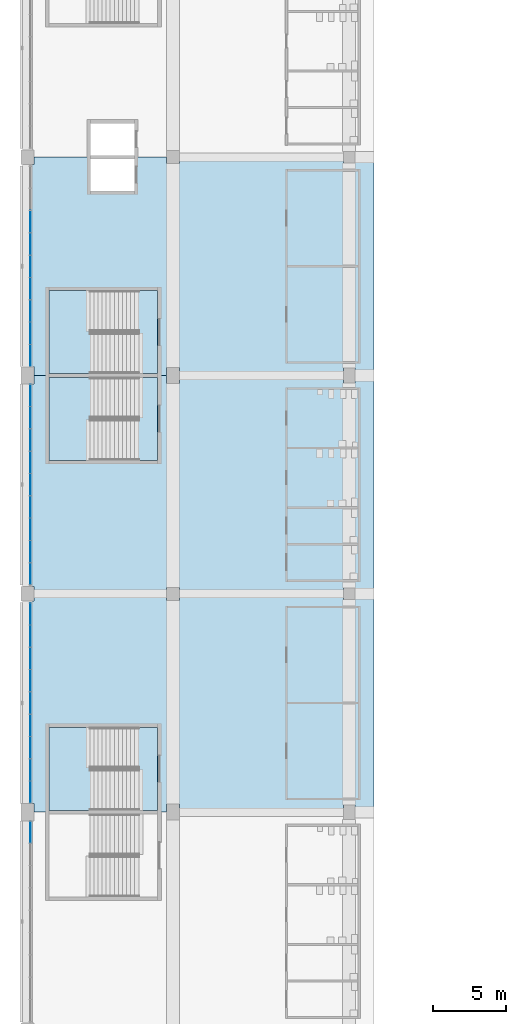
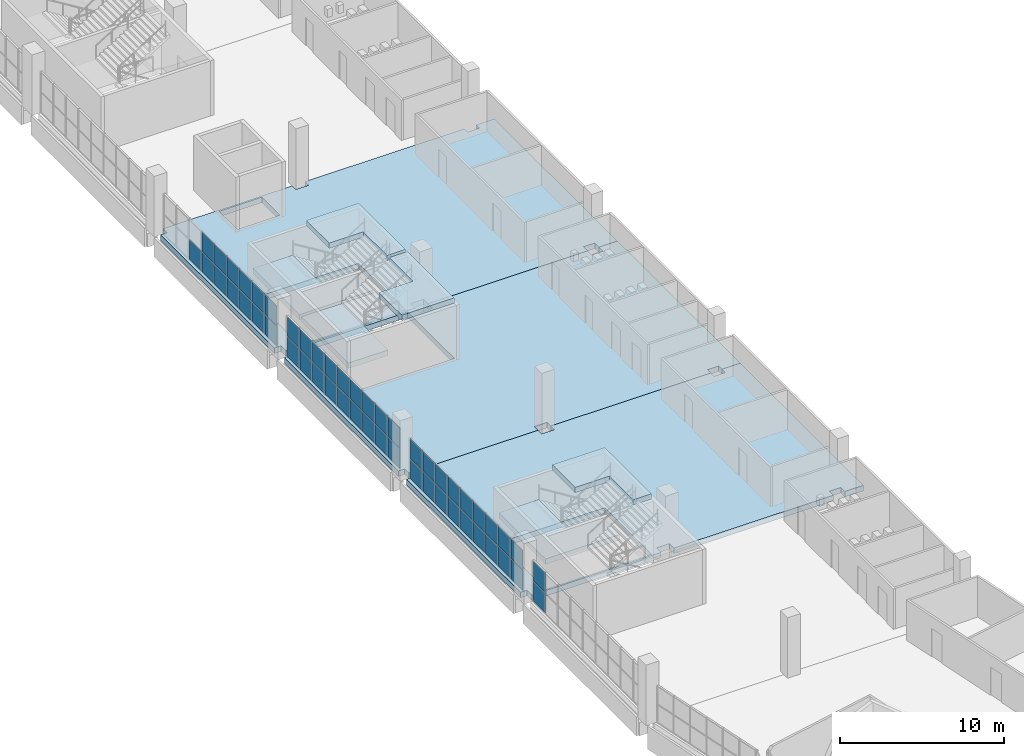
# One storey, part 61 of 199: 51 plates, 9 slabs, 7 elements without a shape of their own.
"""IFC4 building model written with IfcOpenShell, lengths in metres."""

from ifc_helpers import new_model, si_unit, direction, frame, origin, origin_2d, place, context, subcontext, project, spatial, polyline, rectangle, outline, extrude, material, layer, layer_set, type_object, element, aggregate, save


model = new_model("IFC4")

# Units and contexts
model_context = context("Model", 3, precision=1e-05, world=origin(), true_north=direction((0.0, 1.0)))
body_context = subcontext(model_context, "Body", "Model", "MODEL_VIEW")
ifc_project = project(units=[si_unit("LENGTHUNIT", "METRE"), si_unit("AREAUNIT", "SQUARE_METRE"), si_unit("VOLUMEUNIT", "CUBIC_METRE"), si_unit("PLANEANGLEUNIT", "RADIAN"), si_unit("MASSUNIT", "GRAM", prefix="KILO")], contexts=[model_context])

# Site, building, storey
site_placement = place(None, origin())
site = spatial("IfcSite", under=ifc_project, at=site_placement, CompositionType="ELEMENT")
building_placement = place(site_placement, origin())
building = spatial("IfcBuilding", under=site, at=building_placement, Name="Ogive Plaza Stadium", CompositionType="ELEMENT")
storey_placement = place(building_placement, frame((0.0, 0.0, 4.5)))
storey = spatial("IfcBuildingStorey", under=building, at=storey_placement, Name="L01", CompositionType="ELEMENT", Elevation=4.5)

# Curtain wall, plates
ifc_material_1 = material(Name="Bronze-anodised aluminium with laminated glass", Category="aluminium")
curtain_wall_type = type_object("IfcCurtainWallType", Name="Lancet curtain wall", PredefinedType="NOTDEFINED", material=ifc_material_1)
curtain_wall_1_placement = place(storey_placement, origin())
curtain_wall_1 = element("IfcCurtainWall", 1, at=curtain_wall_1_placement, inside=storey, type_object=curtain_wall_type, Name="CURTAIN WALL B21 L01", PredefinedType="NOTDEFINED")
ifc_material_2 = material(Name="Laminated glass", Category="glass")
ifc_layer_1 = layer(ifc_material_2, 0.028076171875)
ifc_layer_set_1 = layer_set([ifc_layer_1], Name="Laminated glass panel 28")
plate_type = type_object("IfcPlateType", Name="Laminated glass panel 28", PredefinedType="CURTAIN_PANEL", material=ifc_layer_set_1)
plate_1_placement = place(storey_placement, frame((-83.800048828125, -38.879150390625, 0.0498046875), z_axis=(0.0, 0.0, 1.0), x_axis=(0.0, 1.0, 0.0)))
plate_1 = element("IfcPlate", 2, at=plate_1_placement, type_object=plate_type, Name="CW-B21-L01 panel 9.1", PredefinedType="CURTAIN_PANEL", context=body_context, shape_type="SweptSolid", body=[
    extrude(rectangle(XDim=1.458251953125, YDim=0.028076171875, at=origin_2d()), origin(), (0.0, 0.0, 1.0), 1.469970703125),
])
plate_2_placement = place(storey_placement, frame((-83.800048828125, -38.879150390625, 1.56982421875), z_axis=(0.0, 0.0, 1.0), x_axis=(0.0, 1.0, 0.0)))
plate_2 = element("IfcPlate", 3, at=plate_2_placement, type_object=plate_type, Name="CW-B21-L01 panel 9.2", PredefinedType="CURTAIN_PANEL", context=body_context, shape_type="SweptSolid", body=[
    extrude(rectangle(XDim=1.458251953125, YDim=0.028076171875, at=origin_2d()), origin(), (0.0, 0.0, 1.0), 1.469970703125),
])
aggregate(curtain_wall_1, [plate_1, plate_2])

curtain_wall_2_placement = place(storey_placement, origin())
curtain_wall_2 = element("IfcCurtainWall", 4, at=curtain_wall_2_placement, inside=storey, type_object=curtain_wall_type, Name="CURTAIN WALL B22 L01", PredefinedType="NOTDEFINED")
plate_3_placement = place(storey_placement, frame((-83.800048828125, -36.120849609375, 0.0498046875), z_axis=(0.0, 0.0, 1.0), x_axis=(0.0, 1.0, 0.0)))
plate_3 = element("IfcPlate", 5, at=plate_3_placement, type_object=plate_type, Name="CW-B22-L01 panel 1.1", PredefinedType="CURTAIN_PANEL", context=body_context, shape_type="SweptSolid", body=[
    extrude(rectangle(XDim=1.458251953125, YDim=0.028076171875, at=origin_2d()), origin(), (0.0, 0.0, 1.0), 1.469970703125),
])
plate_4_placement = place(storey_placement, frame((-83.800048828125, -36.120849609375, 1.56982421875), z_axis=(0.0, 0.0, 1.0), x_axis=(0.0, 1.0, 0.0)))
plate_4 = element("IfcPlate", 6, at=plate_4_placement, type_object=plate_type, Name="CW-B22-L01 panel 1.2", PredefinedType="CURTAIN_PANEL", context=body_context, shape_type="SweptSolid", body=[
    extrude(rectangle(XDim=1.458251953125, YDim=0.028076171875, at=origin_2d()), origin(), (0.0, 0.0, 1.0), 1.469970703125),
])
plate_5_placement = place(storey_placement, frame((-83.800048828125, -34.60009765625, 0.0498046875), z_axis=(0.0, 0.0, 1.0), x_axis=(0.0, 1.0, 0.0)))
plate_5 = element("IfcPlate", 7, at=plate_5_placement, type_object=plate_type, Name="CW-B22-L01 panel 2.1", PredefinedType="CURTAIN_PANEL", context=body_context, shape_type="SweptSolid", body=[
    extrude(rectangle(XDim=1.4833984375, YDim=0.028076171875, at=origin_2d()), origin(), (0.0, 0.0, 1.0), 1.469970703125),
])
plate_6_placement = place(storey_placement, frame((-83.800048828125, -34.60009765625, 1.56982421875), z_axis=(0.0, 0.0, 1.0), x_axis=(0.0, 1.0, 0.0)))
plate_6 = element("IfcPlate", 8, at=plate_6_placement, type_object=plate_type, Name="CW-B22-L01 panel 2.2", PredefinedType="CURTAIN_PANEL", context=body_context, shape_type="SweptSolid", body=[
    extrude(rectangle(XDim=1.4833984375, YDim=0.028076171875, at=origin_2d()), origin(), (0.0, 0.0, 1.0), 1.469970703125),
])
plate_7_placement = place(storey_placement, frame((-83.800048828125, -33.066650390625, 0.0498046875), z_axis=(0.0, 0.0, 1.0), x_axis=(0.0, 1.0, 0.0)))
plate_7 = element("IfcPlate", 9, at=plate_7_placement, type_object=plate_type, Name="CW-B22-L01 panel 3.1", PredefinedType="CURTAIN_PANEL", context=body_context, shape_type="SweptSolid", body=[
    extrude(rectangle(XDim=1.4833984375, YDim=0.028076171875, at=origin_2d()), origin(), (0.0, 0.0, 1.0), 1.469970703125),
])
plate_8_placement = place(storey_placement, frame((-83.800048828125, -33.066650390625, 1.56982421875), z_axis=(0.0, 0.0, 1.0), x_axis=(0.0, 1.0, 0.0)))
plate_8 = element("IfcPlate", 10, at=plate_8_placement, type_object=plate_type, Name="CW-B22-L01 panel 3.2", PredefinedType="CURTAIN_PANEL", context=body_context, shape_type="SweptSolid", body=[
    extrude(rectangle(XDim=1.4833984375, YDim=0.028076171875, at=origin_2d()), origin(), (0.0, 0.0, 1.0), 1.469970703125),
])
plate_9_placement = place(storey_placement, frame((-83.800048828125, -31.533447265625, 0.0498046875), z_axis=(0.0, 0.0, 1.0), x_axis=(0.0, 1.0, 0.0)))
plate_9 = element("IfcPlate", 11, at=plate_9_placement, type_object=plate_type, Name="CW-B22-L01 panel 4.1", PredefinedType="CURTAIN_PANEL", context=body_context, shape_type="SweptSolid", body=[
    extrude(rectangle(XDim=1.4833984375, YDim=0.028076171875, at=origin_2d()), origin(), (0.0, 0.0, 1.0), 1.469970703125),
])
plate_10_placement = place(storey_placement, frame((-83.800048828125, -31.533447265625, 1.56982421875), z_axis=(0.0, 0.0, 1.0), x_axis=(0.0, 1.0, 0.0)))
plate_10 = element("IfcPlate", 12, at=plate_10_placement, type_object=plate_type, Name="CW-B22-L01 panel 4.2", PredefinedType="CURTAIN_PANEL", context=body_context, shape_type="SweptSolid", body=[
    extrude(rectangle(XDim=1.4833984375, YDim=0.028076171875, at=origin_2d()), origin(), (0.0, 0.0, 1.0), 1.469970703125),
])
plate_11_placement = place(storey_placement, frame((-83.800048828125, -30.0, 0.0498046875), z_axis=(0.0, 0.0, 1.0), x_axis=(0.0, 1.0, 0.0)))
plate_11 = element("IfcPlate", 13, at=plate_11_placement, type_object=plate_type, Name="CW-B22-L01 panel 5.1", PredefinedType="CURTAIN_PANEL", context=body_context, shape_type="SweptSolid", body=[
    extrude(rectangle(XDim=1.4833984375, YDim=0.028076171875, at=origin_2d()), origin(), (0.0, 0.0, 1.0), 1.469970703125),
])
plate_12_placement = place(storey_placement, frame((-83.800048828125, -30.0, 1.56982421875), z_axis=(0.0, 0.0, 1.0), x_axis=(0.0, 1.0, 0.0)))
plate_12 = element("IfcPlate", 14, at=plate_12_placement, type_object=plate_type, Name="CW-B22-L01 panel 5.2", PredefinedType="CURTAIN_PANEL", context=body_context, shape_type="SweptSolid", body=[
    extrude(rectangle(XDim=1.4833984375, YDim=0.028076171875, at=origin_2d()), origin(), (0.0, 0.0, 1.0), 1.469970703125),
])
plate_13_placement = place(storey_placement, frame((-83.800048828125, -28.466552734375, 0.0498046875), z_axis=(0.0, 0.0, 1.0), x_axis=(0.0, 1.0, 0.0)))
plate_13 = element("IfcPlate", 15, at=plate_13_placement, type_object=plate_type, Name="CW-B22-L01 panel 6.1", PredefinedType="CURTAIN_PANEL", context=body_context, shape_type="SweptSolid", body=[
    extrude(rectangle(XDim=1.4833984375, YDim=0.028076171875, at=origin_2d()), origin(), (0.0, 0.0, 1.0), 1.469970703125),
])
plate_14_placement = place(storey_placement, frame((-83.800048828125, -28.466552734375, 1.56982421875), z_axis=(0.0, 0.0, 1.0), x_axis=(0.0, 1.0, 0.0)))
plate_14 = element("IfcPlate", 16, at=plate_14_placement, type_object=plate_type, Name="CW-B22-L01 panel 6.2", PredefinedType="CURTAIN_PANEL", context=body_context, shape_type="SweptSolid", body=[
    extrude(rectangle(XDim=1.4833984375, YDim=0.028076171875, at=origin_2d()), origin(), (0.0, 0.0, 1.0), 1.469970703125),
])
plate_15_placement = place(storey_placement, frame((-83.800048828125, -26.933349609375, 0.0498046875), z_axis=(0.0, 0.0, 1.0), x_axis=(0.0, 1.0, 0.0)))
plate_15 = element("IfcPlate", 17, at=plate_15_placement, type_object=plate_type, Name="CW-B22-L01 panel 7.1", PredefinedType="CURTAIN_PANEL", context=body_context, shape_type="SweptSolid", body=[
    extrude(rectangle(XDim=1.4833984375, YDim=0.028076171875, at=origin_2d()), origin(), (0.0, 0.0, 1.0), 1.469970703125),
])
plate_16_placement = place(storey_placement, frame((-83.800048828125, -26.933349609375, 1.56982421875), z_axis=(0.0, 0.0, 1.0), x_axis=(0.0, 1.0, 0.0)))
plate_16 = element("IfcPlate", 18, at=plate_16_placement, type_object=plate_type, Name="CW-B22-L01 panel 7.2", PredefinedType="CURTAIN_PANEL", context=body_context, shape_type="SweptSolid", body=[
    extrude(rectangle(XDim=1.4833984375, YDim=0.028076171875, at=origin_2d()), origin(), (0.0, 0.0, 1.0), 1.469970703125),
])
plate_17_placement = place(storey_placement, frame((-83.800048828125, -25.39990234375, 0.0498046875), z_axis=(0.0, 0.0, 1.0), x_axis=(0.0, 1.0, 0.0)))
plate_17 = element("IfcPlate", 19, at=plate_17_placement, type_object=plate_type, Name="CW-B22-L01 panel 8.1", PredefinedType="CURTAIN_PANEL", context=body_context, shape_type="SweptSolid", body=[
    extrude(rectangle(XDim=1.4833984375, YDim=0.028076171875, at=origin_2d()), origin(), (0.0, 0.0, 1.0), 1.469970703125),
])
plate_18_placement = place(storey_placement, frame((-83.800048828125, -25.39990234375, 1.56982421875), z_axis=(0.0, 0.0, 1.0), x_axis=(0.0, 1.0, 0.0)))
plate_18 = element("IfcPlate", 20, at=plate_18_placement, type_object=plate_type, Name="CW-B22-L01 panel 8.2", PredefinedType="CURTAIN_PANEL", context=body_context, shape_type="SweptSolid", body=[
    extrude(rectangle(XDim=1.4833984375, YDim=0.028076171875, at=origin_2d()), origin(), (0.0, 0.0, 1.0), 1.469970703125),
])
plate_19_placement = place(storey_placement, frame((-83.800048828125, -23.879150390625, 0.0498046875), z_axis=(0.0, 0.0, 1.0), x_axis=(0.0, 1.0, 0.0)))
plate_19 = element("IfcPlate", 21, at=plate_19_placement, type_object=plate_type, Name="CW-B22-L01 panel 9.1", PredefinedType="CURTAIN_PANEL", context=body_context, shape_type="SweptSolid", body=[
    extrude(rectangle(XDim=1.458251953125, YDim=0.028076171875, at=origin_2d()), origin(), (0.0, 0.0, 1.0), 1.469970703125),
])
plate_20_placement = place(storey_placement, frame((-83.800048828125, -23.879150390625, 1.56982421875), z_axis=(0.0, 0.0, 1.0), x_axis=(0.0, 1.0, 0.0)))
plate_20 = element("IfcPlate", 22, at=plate_20_placement, type_object=plate_type, Name="CW-B22-L01 panel 9.2", PredefinedType="CURTAIN_PANEL", context=body_context, shape_type="SweptSolid", body=[
    extrude(rectangle(XDim=1.458251953125, YDim=0.028076171875, at=origin_2d()), origin(), (0.0, 0.0, 1.0), 1.469970703125),
])
aggregate(curtain_wall_2, [plate_3, plate_4, plate_5, plate_6, plate_7, plate_8, plate_9, plate_10, plate_11, plate_12, plate_13, plate_14, plate_15, plate_16, plate_17, plate_18, plate_19, plate_20])

curtain_wall_3_placement = place(storey_placement, origin())
curtain_wall_3 = element("IfcCurtainWall", 23, at=curtain_wall_3_placement, inside=storey, type_object=curtain_wall_type, Name="CURTAIN WALL B23 L01", PredefinedType="NOTDEFINED")
plate_21_placement = place(storey_placement, frame((-83.800048828125, -21.120849609375, 0.0498046875), z_axis=(0.0, 0.0, 1.0), x_axis=(0.0, 1.0, 0.0)))
plate_21 = element("IfcPlate", 24, at=plate_21_placement, type_object=plate_type, Name="CW-B23-L01 panel 1.1", PredefinedType="CURTAIN_PANEL", context=body_context, shape_type="SweptSolid", body=[
    extrude(rectangle(XDim=1.458251953125, YDim=0.028076171875, at=origin_2d()), origin(), (0.0, 0.0, 1.0), 1.469970703125),
])
plate_22_placement = place(storey_placement, frame((-83.800048828125, -21.120849609375, 1.56982421875), z_axis=(0.0, 0.0, 1.0), x_axis=(0.0, 1.0, 0.0)))
plate_22 = element("IfcPlate", 25, at=plate_22_placement, type_object=plate_type, Name="CW-B23-L01 panel 1.2", PredefinedType="CURTAIN_PANEL", context=body_context, shape_type="SweptSolid", body=[
    extrude(rectangle(XDim=1.458251953125, YDim=0.028076171875, at=origin_2d()), origin(), (0.0, 0.0, 1.0), 1.469970703125),
])
plate_23_placement = place(storey_placement, frame((-83.800048828125, -19.60009765625, 0.0498046875), z_axis=(0.0, 0.0, 1.0), x_axis=(0.0, 1.0, 0.0)))
plate_23 = element("IfcPlate", 26, at=plate_23_placement, type_object=plate_type, Name="CW-B23-L01 panel 2.1", PredefinedType="CURTAIN_PANEL", context=body_context, shape_type="SweptSolid", body=[
    extrude(rectangle(XDim=1.4833984375, YDim=0.028076171875, at=origin_2d()), origin(), (0.0, 0.0, 1.0), 1.469970703125),
])
plate_24_placement = place(storey_placement, frame((-83.800048828125, -19.60009765625, 1.56982421875), z_axis=(0.0, 0.0, 1.0), x_axis=(0.0, 1.0, 0.0)))
plate_24 = element("IfcPlate", 27, at=plate_24_placement, type_object=plate_type, Name="CW-B23-L01 panel 2.2", PredefinedType="CURTAIN_PANEL", context=body_context, shape_type="SweptSolid", body=[
    extrude(rectangle(XDim=1.4833984375, YDim=0.028076171875, at=origin_2d()), origin(), (0.0, 0.0, 1.0), 1.469970703125),
])
plate_25_placement = place(storey_placement, frame((-83.800048828125, -18.066650390625, 0.0498046875), z_axis=(0.0, 0.0, 1.0), x_axis=(0.0, 1.0, 0.0)))
plate_25 = element("IfcPlate", 28, at=plate_25_placement, type_object=plate_type, Name="CW-B23-L01 panel 3.1", PredefinedType="CURTAIN_PANEL", context=body_context, shape_type="SweptSolid", body=[
    extrude(rectangle(XDim=1.4833984375, YDim=0.028076171875, at=origin_2d()), origin(), (0.0, 0.0, 1.0), 1.469970703125),
])
plate_26_placement = place(storey_placement, frame((-83.800048828125, -18.066650390625, 1.56982421875), z_axis=(0.0, 0.0, 1.0), x_axis=(0.0, 1.0, 0.0)))
plate_26 = element("IfcPlate", 29, at=plate_26_placement, type_object=plate_type, Name="CW-B23-L01 panel 3.2", PredefinedType="CURTAIN_PANEL", context=body_context, shape_type="SweptSolid", body=[
    extrude(rectangle(XDim=1.4833984375, YDim=0.028076171875, at=origin_2d()), origin(), (0.0, 0.0, 1.0), 1.469970703125),
])
plate_27_placement = place(storey_placement, frame((-83.800048828125, -16.533447265625, 0.0498046875), z_axis=(0.0, 0.0, 1.0), x_axis=(0.0, 1.0, 0.0)))
plate_27 = element("IfcPlate", 30, at=plate_27_placement, type_object=plate_type, Name="CW-B23-L01 panel 4.1", PredefinedType="CURTAIN_PANEL", context=body_context, shape_type="SweptSolid", body=[
    extrude(rectangle(XDim=1.4833984375, YDim=0.028076171875, at=origin_2d()), origin(), (0.0, 0.0, 1.0), 1.469970703125),
])
plate_28_placement = place(storey_placement, frame((-83.800048828125, -16.533447265625, 1.56982421875), z_axis=(0.0, 0.0, 1.0), x_axis=(0.0, 1.0, 0.0)))
plate_28 = element("IfcPlate", 31, at=plate_28_placement, type_object=plate_type, Name="CW-B23-L01 panel 4.2", PredefinedType="CURTAIN_PANEL", context=body_context, shape_type="SweptSolid", body=[
    extrude(rectangle(XDim=1.4833984375, YDim=0.028076171875, at=origin_2d()), origin(), (0.0, 0.0, 1.0), 1.469970703125),
])
plate_29_placement = place(storey_placement, frame((-83.800048828125, -15.0, 0.0498046875), z_axis=(0.0, 0.0, 1.0), x_axis=(0.0, 1.0, 0.0)))
plate_29 = element("IfcPlate", 32, at=plate_29_placement, type_object=plate_type, Name="CW-B23-L01 panel 5.1", PredefinedType="CURTAIN_PANEL", context=body_context, shape_type="SweptSolid", body=[
    extrude(rectangle(XDim=1.4833984375, YDim=0.028076171875, at=origin_2d()), origin(), (0.0, 0.0, 1.0), 1.469970703125),
])
plate_30_placement = place(storey_placement, frame((-83.800048828125, -15.0, 1.56982421875), z_axis=(0.0, 0.0, 1.0), x_axis=(0.0, 1.0, 0.0)))
plate_30 = element("IfcPlate", 33, at=plate_30_placement, type_object=plate_type, Name="CW-B23-L01 panel 5.2", PredefinedType="CURTAIN_PANEL", context=body_context, shape_type="SweptSolid", body=[
    extrude(rectangle(XDim=1.4833984375, YDim=0.028076171875, at=origin_2d()), origin(), (0.0, 0.0, 1.0), 1.469970703125),
])
plate_31_placement = place(storey_placement, frame((-83.800048828125, -13.466552734375, 0.0498046875), z_axis=(0.0, 0.0, 1.0), x_axis=(0.0, 1.0, 0.0)))
plate_31 = element("IfcPlate", 34, at=plate_31_placement, type_object=plate_type, Name="CW-B23-L01 panel 6.1", PredefinedType="CURTAIN_PANEL", context=body_context, shape_type="SweptSolid", body=[
    extrude(rectangle(XDim=1.4833984375, YDim=0.028076171875, at=origin_2d()), origin(), (0.0, 0.0, 1.0), 1.469970703125),
])
plate_32_placement = place(storey_placement, frame((-83.800048828125, -13.466552734375, 1.56982421875), z_axis=(0.0, 0.0, 1.0), x_axis=(0.0, 1.0, 0.0)))
plate_32 = element("IfcPlate", 35, at=plate_32_placement, type_object=plate_type, Name="CW-B23-L01 panel 6.2", PredefinedType="CURTAIN_PANEL", context=body_context, shape_type="SweptSolid", body=[
    extrude(rectangle(XDim=1.4833984375, YDim=0.028076171875, at=origin_2d()), origin(), (0.0, 0.0, 1.0), 1.469970703125),
])
plate_33_placement = place(storey_placement, frame((-83.800048828125, -11.933349609375, 0.0498046875), z_axis=(0.0, 0.0, 1.0), x_axis=(0.0, 1.0, 0.0)))
plate_33 = element("IfcPlate", 36, at=plate_33_placement, type_object=plate_type, Name="CW-B23-L01 panel 7.1", PredefinedType="CURTAIN_PANEL", context=body_context, shape_type="SweptSolid", body=[
    extrude(rectangle(XDim=1.4833984375, YDim=0.028076171875, at=origin_2d()), origin(), (0.0, 0.0, 1.0), 1.469970703125),
])
plate_34_placement = place(storey_placement, frame((-83.800048828125, -11.933349609375, 1.56982421875), z_axis=(0.0, 0.0, 1.0), x_axis=(0.0, 1.0, 0.0)))
plate_34 = element("IfcPlate", 37, at=plate_34_placement, type_object=plate_type, Name="CW-B23-L01 panel 7.2", PredefinedType="CURTAIN_PANEL", context=body_context, shape_type="SweptSolid", body=[
    extrude(rectangle(XDim=1.4833984375, YDim=0.028076171875, at=origin_2d()), origin(), (0.0, 0.0, 1.0), 1.469970703125),
])
plate_35_placement = place(storey_placement, frame((-83.800048828125, -10.39990234375, 0.0498046875), z_axis=(0.0, 0.0, 1.0), x_axis=(0.0, 1.0, 0.0)))
plate_35 = element("IfcPlate", 38, at=plate_35_placement, type_object=plate_type, Name="CW-B23-L01 panel 8.1", PredefinedType="CURTAIN_PANEL", context=body_context, shape_type="SweptSolid", body=[
    extrude(rectangle(XDim=1.4833984375, YDim=0.028076171875, at=origin_2d()), origin(), (0.0, 0.0, 1.0), 1.469970703125),
])
plate_36_placement = place(storey_placement, frame((-83.800048828125, -10.39990234375, 1.56982421875), z_axis=(0.0, 0.0, 1.0), x_axis=(0.0, 1.0, 0.0)))
plate_36 = element("IfcPlate", 39, at=plate_36_placement, type_object=plate_type, Name="CW-B23-L01 panel 8.2", PredefinedType="CURTAIN_PANEL", context=body_context, shape_type="SweptSolid", body=[
    extrude(rectangle(XDim=1.4833984375, YDim=0.028076171875, at=origin_2d()), origin(), (0.0, 0.0, 1.0), 1.469970703125),
])
plate_37_placement = place(storey_placement, frame((-83.800048828125, -8.879150390625, 0.0498046875), z_axis=(0.0, 0.0, 1.0), x_axis=(0.0, 1.0, 0.0)))
plate_37 = element("IfcPlate", 40, at=plate_37_placement, type_object=plate_type, Name="CW-B23-L01 panel 9.1", PredefinedType="CURTAIN_PANEL", context=body_context, shape_type="SweptSolid", body=[
    extrude(rectangle(XDim=1.458251953125, YDim=0.028076171875, at=origin_2d()), origin(), (0.0, 0.0, 1.0), 1.469970703125),
])
plate_38_placement = place(storey_placement, frame((-83.800048828125, -8.879150390625, 1.56982421875), z_axis=(0.0, 0.0, 1.0), x_axis=(0.0, 1.0, 0.0)))
plate_38 = element("IfcPlate", 41, at=plate_38_placement, type_object=plate_type, Name="CW-B23-L01 panel 9.2", PredefinedType="CURTAIN_PANEL", context=body_context, shape_type="SweptSolid", body=[
    extrude(rectangle(XDim=1.458251953125, YDim=0.028076171875, at=origin_2d()), origin(), (0.0, 0.0, 1.0), 1.469970703125),
])
aggregate(curtain_wall_3, [plate_21, plate_22, plate_23, plate_24, plate_25, plate_26, plate_27, plate_28, plate_29, plate_30, plate_31, plate_32, plate_33, plate_34, plate_35, plate_36, plate_37, plate_38])

curtain_wall_4_placement = place(storey_placement, origin())
curtain_wall_4 = element("IfcCurtainWall", 42, at=curtain_wall_4_placement, inside=storey, type_object=curtain_wall_type, Name="CURTAIN WALL B24 L01", PredefinedType="NOTDEFINED")
plate_39_placement = place(storey_placement, frame((-83.800048828125, -6.120849609375, 0.0498046875), z_axis=(0.0, 0.0, 1.0), x_axis=(0.0, 1.0, 0.0)))
plate_39 = element("IfcPlate", 43, at=plate_39_placement, type_object=plate_type, Name="CW-B24-L01 panel 1.1", PredefinedType="CURTAIN_PANEL", context=body_context, shape_type="SweptSolid", body=[
    extrude(rectangle(XDim=1.458251953125, YDim=0.028076171875, at=origin_2d()), origin(), (0.0, 0.0, 1.0), 1.469970703125),
])
plate_40_placement = place(storey_placement, frame((-83.800048828125, -6.120849609375, 1.56982421875), z_axis=(0.0, 0.0, 1.0), x_axis=(0.0, 1.0, 0.0)))
plate_40 = element("IfcPlate", 44, at=plate_40_placement, type_object=plate_type, Name="CW-B24-L01 panel 1.2", PredefinedType="CURTAIN_PANEL", context=body_context, shape_type="SweptSolid", body=[
    extrude(rectangle(XDim=1.458251953125, YDim=0.028076171875, at=origin_2d()), origin(), (0.0, 0.0, 1.0), 1.469970703125),
])
plate_41_placement = place(storey_placement, frame((-83.800048828125, -4.60009765625, 0.0498046875), z_axis=(0.0, 0.0, 1.0), x_axis=(0.0, 1.0, 0.0)))
plate_41 = element("IfcPlate", 45, at=plate_41_placement, type_object=plate_type, Name="CW-B24-L01 panel 2.1", PredefinedType="CURTAIN_PANEL", context=body_context, shape_type="SweptSolid", body=[
    extrude(rectangle(XDim=1.4833984375, YDim=0.028076171875, at=origin_2d()), origin(), (0.0, 0.0, 1.0), 1.469970703125),
])
plate_42_placement = place(storey_placement, frame((-83.800048828125, -4.60009765625, 1.56982421875), z_axis=(0.0, 0.0, 1.0), x_axis=(0.0, 1.0, 0.0)))
plate_42 = element("IfcPlate", 46, at=plate_42_placement, type_object=plate_type, Name="CW-B24-L01 panel 2.2", PredefinedType="CURTAIN_PANEL", context=body_context, shape_type="SweptSolid", body=[
    extrude(rectangle(XDim=1.4833984375, YDim=0.028076171875, at=origin_2d()), origin(), (0.0, 0.0, 1.0), 1.469970703125),
])
plate_43_placement = place(storey_placement, frame((-83.800048828125, -3.066650390625, 0.0498046875), z_axis=(0.0, 0.0, 1.0), x_axis=(0.0, 1.0, 0.0)))
plate_43 = element("IfcPlate", 47, at=plate_43_placement, type_object=plate_type, Name="CW-B24-L01 panel 3.1", PredefinedType="CURTAIN_PANEL", context=body_context, shape_type="SweptSolid", body=[
    extrude(rectangle(XDim=1.4833984375, YDim=0.028076171875, at=origin_2d()), origin(), (0.0, 0.0, 1.0), 1.469970703125),
])
plate_44_placement = place(storey_placement, frame((-83.800048828125, -3.066650390625, 1.56982421875), z_axis=(0.0, 0.0, 1.0), x_axis=(0.0, 1.0, 0.0)))
plate_44 = element("IfcPlate", 48, at=plate_44_placement, type_object=plate_type, Name="CW-B24-L01 panel 3.2", PredefinedType="CURTAIN_PANEL", context=body_context, shape_type="SweptSolid", body=[
    extrude(rectangle(XDim=1.4833984375, YDim=0.028076171875, at=origin_2d()), origin(), (0.0, 0.0, 1.0), 1.469970703125),
])
plate_45_placement = place(storey_placement, frame((-83.800048828125, -1.533447265625, 0.0498046875), z_axis=(0.0, 0.0, 1.0), x_axis=(0.0, 1.0, 0.0)))
plate_45 = element("IfcPlate", 49, at=plate_45_placement, type_object=plate_type, Name="CW-B24-L01 panel 4.1", PredefinedType="CURTAIN_PANEL", context=body_context, shape_type="SweptSolid", body=[
    extrude(rectangle(XDim=1.4833984375, YDim=0.028076171875, at=origin_2d()), origin(), (0.0, 0.0, 1.0), 1.469970703125),
])
plate_46_placement = place(storey_placement, frame((-83.800048828125, -1.533447265625, 1.56982421875), z_axis=(0.0, 0.0, 1.0), x_axis=(0.0, 1.0, 0.0)))
plate_46 = element("IfcPlate", 50, at=plate_46_placement, type_object=plate_type, Name="CW-B24-L01 panel 4.2", PredefinedType="CURTAIN_PANEL", context=body_context, shape_type="SweptSolid", body=[
    extrude(rectangle(XDim=1.4833984375, YDim=0.028076171875, at=origin_2d()), origin(), (0.0, 0.0, 1.0), 1.469970703125),
])
plate_47_placement = place(storey_placement, frame((-83.800048828125, 0.0, 0.0498046875), z_axis=(0.0, 0.0, 1.0), x_axis=(0.0, 1.0, 0.0)))
plate_47 = element("IfcPlate", 51, at=plate_47_placement, type_object=plate_type, Name="CW-B24-L01 panel 5.1", PredefinedType="CURTAIN_PANEL", context=body_context, shape_type="SweptSolid", body=[
    extrude(rectangle(XDim=1.4833984375, YDim=0.028076171875, at=origin_2d()), origin(), (0.0, 0.0, 1.0), 1.469970703125),
])
plate_48_placement = place(storey_placement, frame((-83.800048828125, 0.0, 1.56982421875), z_axis=(0.0, 0.0, 1.0), x_axis=(0.0, 1.0, 0.0)))
plate_48 = element("IfcPlate", 52, at=plate_48_placement, type_object=plate_type, Name="CW-B24-L01 panel 5.2", PredefinedType="CURTAIN_PANEL", context=body_context, shape_type="SweptSolid", body=[
    extrude(rectangle(XDim=1.4833984375, YDim=0.028076171875, at=origin_2d()), origin(), (0.0, 0.0, 1.0), 1.469970703125),
])
plate_49_placement = place(storey_placement, frame((-83.800048828125, 1.533447265625, 0.0498046875), z_axis=(0.0, 0.0, 1.0), x_axis=(0.0, 1.0, 0.0)))
plate_49 = element("IfcPlate", 53, at=plate_49_placement, type_object=plate_type, Name="CW-B24-L01 panel 6.1", PredefinedType="CURTAIN_PANEL", context=body_context, shape_type="SweptSolid", body=[
    extrude(rectangle(XDim=1.4833984375, YDim=0.028076171875, at=origin_2d()), origin(), (0.0, 0.0, 1.0), 1.469970703125),
])
plate_50_placement = place(storey_placement, frame((-83.800048828125, 1.533447265625, 1.56982421875), z_axis=(0.0, 0.0, 1.0), x_axis=(0.0, 1.0, 0.0)))
plate_50 = element("IfcPlate", 54, at=plate_50_placement, type_object=plate_type, Name="CW-B24-L01 panel 6.2", PredefinedType="CURTAIN_PANEL", context=body_context, shape_type="SweptSolid", body=[
    extrude(rectangle(XDim=1.4833984375, YDim=0.028076171875, at=origin_2d()), origin(), (0.0, 0.0, 1.0), 1.469970703125),
])
plate_51_placement = place(storey_placement, frame((-83.800048828125, 3.066650390625, 0.0498046875), z_axis=(0.0, 0.0, 1.0), x_axis=(0.0, 1.0, 0.0)))
plate_51 = element("IfcPlate", 55, at=plate_51_placement, type_object=plate_type, Name="CW-B24-L01 panel 7.1", PredefinedType="CURTAIN_PANEL", context=body_context, shape_type="SweptSolid", body=[
    extrude(rectangle(XDim=1.4833984375, YDim=0.028076171875, at=origin_2d()), origin(), (0.0, 0.0, 1.0), 1.469970703125),
])
aggregate(curtain_wall_4, [plate_39, plate_40, plate_41, plate_42, plate_43, plate_44, plate_45, plate_46, plate_47, plate_48, plate_49, plate_50, plate_51])

# Slabs
ifc_material_3 = material(Name="Concrete C40/50", Category="concrete")
ifc_layer_2 = layer(ifc_material_3, 0.409912109375)
ifc_layer_set_2 = layer_set([ifc_layer_2], Name="Concrete C40/50")
slab_type_1 = type_object("IfcSlabType", Name="RC floor slab 410", PredefinedType="FLOOR", material=ifc_layer_set_2)
slab_1_placement = place(storey_placement, frame((0.0, 0.0, -0.409912109375)))
element("IfcSlab", 56, at=slab_1_placement, inside=storey, type_object=slab_type_1, Name="Floor slab L01 B22", PredefinedType="FLOOR", context=body_context, shape_type="SweptSolid", body=[
    extrude(outline(polyline([(-61.5, -22.5), (-61.5, -22.89990234375), (-62.300048828125, -22.89990234375), (-62.300048828125, -22.5), (-73.550048828125, -22.5), (-73.550048828125, -22.949951171875), (-74.449951171875, -22.949951171875), (-74.449951171875, -22.5), (-83.550048828125, -22.5), (-83.550048828125, -23.0), (-84.0, -23.0), (-84.0, -36.89990234375), (-83.550048828125, -36.89990234375), (-83.550048828125, -37.5), (-74.449951171875, -37.5), (-74.449951171875, -36.949951171875), (-73.550048828125, -36.949951171875), (-73.550048828125, -37.5), (-62.300048828125, -37.5), (-62.300048828125, -37.0), (-61.5, -37.0), (-61.5, -37.5), (-60.199951171875, -37.5), (-60.199951171875, -22.5), (-61.5, -22.5)]), holes=[polyline([(-75.050048828125, -37.375), (-75.050048828125, -31.675048828125), (-82.510009765625, -31.675048828125), (-82.510009765625, -37.375), (-75.050048828125, -37.375)])]), origin(), (0.0, 0.0, 1.0), 0.409912109375),
])
slab_2_placement = place(storey_placement, frame((0.0, 0.0, -0.409912109375)))
element("IfcSlab", 57, at=slab_2_placement, inside=storey, type_object=slab_type_1, Name="Floor slab L01 B23", PredefinedType="FLOOR", context=body_context, shape_type="SweptSolid", body=[
    extrude(outline(polyline([(-61.5, -7.5), (-61.5, -8.0), (-62.300048828125, -8.0), (-62.300048828125, -7.5), (-73.550048828125, -7.5), (-73.550048828125, -8.050048828125), (-74.449951171875, -8.050048828125), (-74.449951171875, -7.5), (-83.550048828125, -7.5), (-83.550048828125, -8.10009765625), (-84.0, -8.10009765625), (-84.0, -22.0), (-83.550048828125, -22.0), (-83.550048828125, -22.5), (-74.449951171875, -22.5), (-74.449951171875, -22.050048828125), (-73.550048828125, -22.050048828125), (-73.550048828125, -22.5), (-62.300048828125, -22.5), (-62.300048828125, -22.10009765625), (-61.5, -22.10009765625), (-61.5, -22.5), (-60.199951171875, -22.5), (-60.199951171875, -7.5), (-61.5, -7.5)]), holes=[polyline([(-75.050048828125, -13.324951171875), (-75.050048828125, -7.625), (-82.510009765625, -7.625), (-82.510009765625, -13.324951171875), (-75.050048828125, -13.324951171875)])]), origin(), (0.0, 0.0, 1.0), 0.409912109375),
])
slab_3_placement = place(storey_placement, frame((0.0, 0.0, -0.409912109375)))
element("IfcSlab", 58, at=slab_3_placement, inside=storey, type_object=slab_type_1, Name="Floor slab L01 B24", PredefinedType="FLOOR", context=body_context, shape_type="SweptSolid", body=[
    extrude(outline(polyline([(-61.5, 7.5), (-61.5, 7.10009765625), (-62.300048828125, 7.10009765625), (-62.300048828125, 7.5), (-73.550048828125, 7.5), (-73.550048828125, 7.050048828125), (-74.449951171875, 7.050048828125), (-74.449951171875, 7.5), (-83.550048828125, 7.5), (-83.550048828125, 7.0), (-84.0, 7.0), (-84.0, -6.89990234375), (-83.550048828125, -6.89990234375), (-83.550048828125, -7.5), (-74.449951171875, -7.5), (-74.449951171875, -6.949951171875), (-73.550048828125, -6.949951171875), (-73.550048828125, -7.5), (-62.300048828125, -7.5), (-62.300048828125, -7.0), (-61.5, -7.0), (-61.5, -7.5), (-60.199951171875, -7.5), (-60.199951171875, 7.5), (-61.5, 7.5)]), holes=[polyline([(-75.050048828125, -7.375), (-75.050048828125, -1.675048828125), (-82.510009765625, -1.675048828125), (-82.510009765625, -7.375), (-75.050048828125, -7.375)]), polyline([(-76.64990234375, 5.175048828125), (-76.64990234375, 7.375), (-79.64990234375, 7.375), (-79.64990234375, 5.175048828125), (-76.64990234375, 5.175048828125)])]), origin(), (0.0, 0.0, 1.0), 0.409912109375),
])

# Stair, slabs
ifc_material_4 = material(Name="Concrete C40/50", Category="concrete")
stair_type = type_object("IfcStairType", Name="Exit stair", PredefinedType="STRAIGHT_RUN_STAIR", material=ifc_material_4)
stair_1_placement = place(storey_placement, origin())
stair_1 = element("IfcStair", 59, at=stair_1_placement, inside=storey, type_object=stair_type, Name="Exit stair ST22A L01 to L02", PredefinedType="STRAIGHT_RUN_STAIR")
ifc_material_5 = material(Name="Concrete C40/50", Category="concrete")
ifc_layer_3 = layer(ifc_material_5, 0.39990234375)
ifc_layer_set_3 = layer_set([ifc_layer_3], Name="Concrete C40/50")
slab_type_2 = type_object("IfcSlabType", Name="Stair landing", PredefinedType="LANDING", material=ifc_layer_set_3)
slab_4_placement = place(storey_placement, frame((0.0, 0.0, 1.85009765625)))
slab_4 = element("IfcSlab", 60, at=slab_4_placement, type_object=slab_type_2, Name="ST22A landing 1", PredefinedType="LANDING", context=body_context, shape_type="SweptSolid", body=[
    extrude(outline(polyline([(-82.510009765625, -37.375), (-82.510009765625, -31.675048828125), (-79.7099609375, -31.675048828125), (-79.7099609375, -34.574951171875), (-77.31005859375, -34.574951171875), (-77.31005859375, -37.375), (-79.7099609375, -37.375), (-82.510009765625, -37.375)])), origin(), (0.0, 0.0, 1.0), 0.39990234375),
])
slab_5_placement = place(storey_placement, frame((0.0, 0.0, 4.10009765625)))
slab_5 = element("IfcSlab", 61, at=slab_5_placement, type_object=slab_type_2, Name="ST22A landing 2", PredefinedType="LANDING", context=body_context, shape_type="SweptSolid", body=[
    extrude(outline(polyline([(-78.75, -34.47509765625), (-78.75, -31.675048828125), (-76.35009765625, -31.675048828125), (-75.050048828125, -31.675048828125), (-75.050048828125, -37.375), (-76.35009765625, -37.375), (-76.35009765625, -34.47509765625), (-78.75, -34.47509765625)])), origin(), (0.0, 0.0, 1.0), 0.39990234375),
])
aggregate(stair_1, [slab_4, slab_5])

stair_2_placement = place(storey_placement, origin())
stair_2 = element("IfcStair", 62, at=stair_2_placement, inside=storey, type_object=stair_type, Name="Exit stair ST24A L01 to L02", PredefinedType="STRAIGHT_RUN_STAIR")
slab_6_placement = place(storey_placement, frame((0.0, 0.0, 1.85009765625)))
slab_6 = element("IfcSlab", 63, at=slab_6_placement, type_object=slab_type_2, Name="ST24A landing 1", PredefinedType="LANDING", context=body_context, shape_type="SweptSolid", body=[
    extrude(outline(polyline([(-82.510009765625, -7.375), (-82.510009765625, -1.675048828125), (-79.7099609375, -1.675048828125), (-79.7099609375, -4.574951171875), (-77.31005859375, -4.574951171875), (-77.31005859375, -7.375), (-79.7099609375, -7.375), (-82.510009765625, -7.375)])), origin(), (0.0, 0.0, 1.0), 0.39990234375),
])
slab_7_placement = place(storey_placement, frame((0.0, 0.0, 4.10009765625)))
slab_7 = element("IfcSlab", 64, at=slab_7_placement, type_object=slab_type_2, Name="ST24A landing 2", PredefinedType="LANDING", context=body_context, shape_type="SweptSolid", body=[
    extrude(outline(polyline([(-78.75, -4.47509765625), (-78.75, -1.675048828125), (-76.35009765625, -1.675048828125), (-75.050048828125, -1.675048828125), (-75.050048828125, -7.375), (-76.35009765625, -7.375), (-76.35009765625, -4.47509765625), (-78.75, -4.47509765625)])), origin(), (0.0, 0.0, 1.0), 0.39990234375),
])
aggregate(stair_2, [slab_6, slab_7])

stair_3_placement = place(storey_placement, origin())
stair_3 = element("IfcStair", 65, at=stair_3_placement, inside=storey, type_object=stair_type, Name="Exit stair ST24B L01 to L02", PredefinedType="STRAIGHT_RUN_STAIR")
slab_8_placement = place(storey_placement, frame((0.0, 0.0, 1.85009765625)))
slab_8 = element("IfcSlab", 66, at=slab_8_placement, type_object=slab_type_2, Name="ST24B landing 1", PredefinedType="LANDING", context=body_context, shape_type="SweptSolid", body=[
    extrude(outline(polyline([(-77.31005859375, -7.625), (-77.31005859375, -10.425048828125), (-79.7099609375, -10.425048828125), (-79.7099609375, -13.324951171875), (-82.510009765625, -13.324951171875), (-82.510009765625, -7.625), (-79.7099609375, -7.625), (-77.31005859375, -7.625)])), origin(), (0.0, 0.0, 1.0), 0.39990234375),
])
slab_9_placement = place(storey_placement, frame((0.0, 0.0, 4.10009765625)))
slab_9 = element("IfcSlab", 67, at=slab_9_placement, type_object=slab_type_2, Name="ST24B landing 2", PredefinedType="LANDING", context=body_context, shape_type="SweptSolid", body=[
    extrude(outline(polyline([(-76.35009765625, -7.625), (-75.050048828125, -7.625), (-75.050048828125, -13.324951171875), (-76.35009765625, -13.324951171875), (-78.75, -13.324951171875), (-78.75, -10.52490234375), (-76.35009765625, -10.52490234375), (-76.35009765625, -7.625)])), origin(), (0.0, 0.0, 1.0), 0.39990234375),
])
aggregate(stair_3, [slab_8, slab_9])

save(model, "model.ifc")
